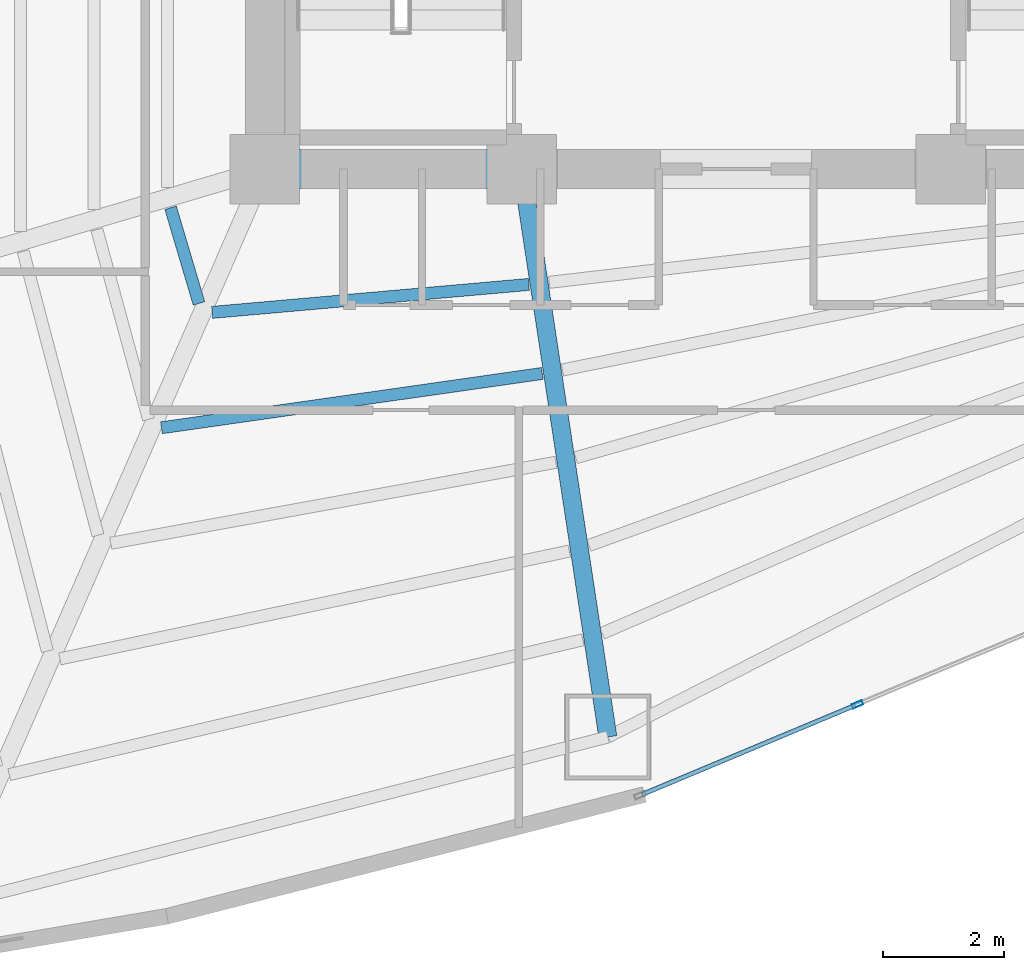
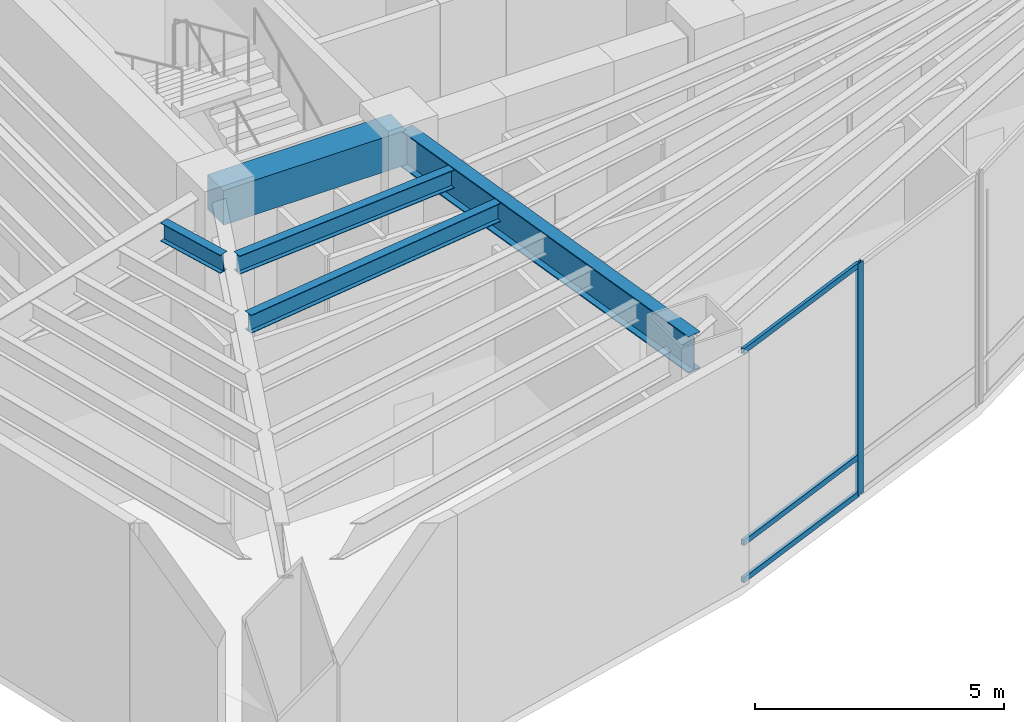
# One storey, part 4 of 19: 5 beams, 4 members, 1 element without a shape of its own.
"""IFC4 building model written with IfcOpenShell, lengths in metres."""

from ifc_helpers import new_model, si_unit, direction, frame, origin, origin_2d, place, context, subcontext, project, spatial, rectangle, hollow_rectangle, i_section, extrude, material, layer, layer_set, material_profile, profile_set, type_object, element, aggregate, save


model = new_model("IFC4")

# Units and contexts
model_context = context("Model", 3, precision=1e-05, world=origin(), true_north=direction((0.0, 1.0)))
body_context = subcontext(model_context, "Body", "Model", "MODEL_VIEW")
ifc_project = project(units=[si_unit("LENGTHUNIT", "METRE"), si_unit("AREAUNIT", "SQUARE_METRE"), si_unit("VOLUMEUNIT", "CUBIC_METRE"), si_unit("PLANEANGLEUNIT", "RADIAN"), si_unit("MASSUNIT", "GRAM", prefix="KILO")], contexts=[model_context])

# Site, building, storey
site_placement = place(None, origin())
site = spatial("IfcSite", under=ifc_project, at=site_placement, CompositionType="ELEMENT")
building_placement = place(site_placement, origin())
building = spatial("IfcBuilding", under=site, at=building_placement, Name="Menara Vayukalpa", CompositionType="ELEMENT")
storey_placement = place(building_placement, frame((0.0, 0.0, 12.0)))
storey = spatial("IfcBuildingStorey", under=building, at=storey_placement, Name="L02", CompositionType="ELEMENT", Elevation=12.0)

# Beams
ifc_material_1 = material(Name="Concrete C60/75", Category="concrete")
ifc_material_profile_1 = material_profile(ifc_material_1, rectangle(XDim=0.64990234375, YDim=0.85009765625, at=origin_2d()), Name="RC 650x850")
ifc_profile_set_1 = profile_set([ifc_material_profile_1], Name="Concrete C60/75")
beam_type_1 = type_object("IfcBeamType", Name="BM-CB1", PredefinedType="BEAM", material=ifc_profile_set_1)
beam_1_placement = place(storey_placement, frame((17.800048828125, 17.199951171875, 5.2548828125), z_axis=(1.0, 0.0, 0.0), x_axis=(0.0, 1.0, 0.0)))
element("IfcBeam", 1, at=beam_1_placement, inside=storey, type_object=beam_type_1, Name="L02 Core Tie Beam CBR1", PredefinedType="BEAM", context=body_context, shape_type="SweptSolid", body=[
    extrude(rectangle(XDim=0.64990234375, YDim=0.85009765625, at=origin_2d()), origin(), (0.0, 0.0, 1.0), 4.25),
])
ifc_material_2 = material(Name="Steel S355", Category="steel")
ifc_material_profile_2 = material_profile(ifc_material_2, i_section(OverallWidth=0.300048828125, OverallDepth=0.89990234375, WebThickness=0.01611328125, FlangeThickness=0.028076171875, at=origin_2d()), Name="WF 900x300x16x28")
ifc_profile_set_2 = profile_set([ifc_material_profile_2], Name="Steel S355")
beam_type_2 = type_object("IfcBeamType", Name="BM-PG1", PredefinedType="BEAM", material=ifc_profile_set_2)
beam_2_placement = place(storey_placement, frame((22.08740234375, 16.952880859375, 5.22998046875), z_axis=(0.149956157605, -0.988692647285, 0.0), x_axis=(0.988692647285, 0.149956157605, 0.0)))
element("IfcBeam", 2, at=beam_2_placement, inside=storey, type_object=beam_type_2, Name="L02 Primary Radial Girder RG08", PredefinedType="BEAM", context=body_context, shape_type="SweptSolid", body=[
    extrude(i_section(OverallWidth=0.300048828125, OverallDepth=0.89990234375, WebThickness=0.01611328125, FlangeThickness=0.028076171875, at=origin_2d()), origin(), (0.0, 0.0, 1.0), 9.25732421875),
])
ifc_material_3 = material(Name="Steel S355", Category="steel")
ifc_material_profile_3 = material_profile(ifc_material_3, i_section(OverallWidth=0.199951171875, OverallDepth=0.449951171875, WebThickness=0.009033203125, FlangeThickness=0.013916015625, at=origin_2d()), Name="WF 450x200x9x14")
ifc_profile_set_3 = profile_set([ifc_material_profile_3], Name="Steel S355")
beam_type_3 = type_object("IfcBeamType", Name="BM-SJ1", PredefinedType="JOIST", material=ifc_profile_set_3)
beam_3_placement = place(storey_placement, frame((16.239013671875, 16.5595703125, 5.455078125), z_axis=(0.284173863657, -0.958772765161, 0.0), x_axis=(0.958772765161, 0.284173863657, 0.0)))
element("IfcBeam", 3, at=beam_3_placement, inside=storey, type_object=beam_type_3, Name="L02 Secondary Floor Joist SJ06-1", PredefinedType="JOIST", context=body_context, shape_type="SweptSolid", body=[
    extrude(i_section(OverallWidth=0.199951171875, OverallDepth=0.449951171875, WebThickness=0.009033203125, FlangeThickness=0.013916015625, at=origin_2d()), origin(), (0.0, 0.0, 1.0), 1.652099609375),
])
beam_4_placement = place(storey_placement, frame((16.926025390625, 14.82763671875, 5.455078125), z_axis=(0.996127818773, 0.08791682812, 0.0), x_axis=(-0.08791682812, 0.996127818773, 0.0)))
element("IfcBeam", 4, at=beam_4_placement, inside=storey, type_object=beam_type_3, Name="L02 Secondary Floor Joist SJ07-1", PredefinedType="JOIST", context=body_context, shape_type="SweptSolid", body=[
    extrude(i_section(OverallWidth=0.199951171875, OverallDepth=0.449951171875, WebThickness=0.009033203125, FlangeThickness=0.013916015625, at=origin_2d()), origin(), (0.0, 0.0, 1.0), 5.26220703125),
])
beam_5_placement = place(storey_placement, frame((16.0869140625, 12.918212890625, 5.455078125), z_axis=(0.989991622628, 0.141126139063, 0.0), x_axis=(-0.141126139063, 0.989991622628, 0.0)))
element("IfcBeam", 5, at=beam_5_placement, inside=storey, type_object=beam_type_3, Name="L02 Secondary Floor Joist SJ07-2", PredefinedType="JOIST", context=body_context, shape_type="SweptSolid", body=[
    extrude(i_section(OverallWidth=0.199951171875, OverallDepth=0.449951171875, WebThickness=0.009033203125, FlangeThickness=0.013916015625, at=origin_2d()), origin(), (0.0, 0.0, 1.0), 6.367919921875),
])

# Curtain wall, members
ifc_material_4 = material(Name="Anodised Terracotta Aluminium Alloy 6063-T6", Category="masonry")
ifc_layer = layer(ifc_material_4, 0.179931640625)
ifc_layer_set = layer_set([ifc_layer], Name="Anodised Terracotta Aluminium Alloy 6063-T6")
curtain_wall_type = type_object("IfcCurtainWallType", Name="CW-CW1", PredefinedType="USERDEFINED", material=ifc_layer_set)
curtain_wall_placement = place(storey_placement, origin())
curtain_wall = element("IfcCurtainWall", 6, at=curtain_wall_placement, inside=storey, type_object=curtain_wall_type, Name="L02 Podium Unitised Ribbon Curtain Wall CW1 16", ObjectType="UNITISED", PredefinedType="USERDEFINED")
ifc_material_5 = material(Name="Anodised Terracotta Aluminium Alloy 6063-T6", Category="masonry")
ifc_material_profile_4 = material_profile(ifc_material_5, hollow_rectangle(XDim=0.074951171875, YDim=0.179931640625, WallThickness=0.00390625, at=origin_2d()), Name="ALU 75x180x4")
ifc_profile_set_4 = profile_set([ifc_material_profile_4], Name="Anodised Terracotta Aluminium Alloy 6063-T6")
member_type_1 = type_object("IfcMemberType", Name="CWM-CW1", PredefinedType="MULLION", material=ifc_profile_set_4)
member_1_placement = place(storey_placement, frame((27.608154296875, 8.33984375, 0.0), z_axis=(0.0, 0.0, 1.0), x_axis=(-0.385890613077, 0.922544543499, 0.0)))
member_1 = element("IfcMember", 7, at=member_1_placement, type_object=member_type_1, Name="CW1 mullion 2", PredefinedType="MULLION", context=body_context, shape_type="SweptSolid", body=[
    extrude(hollow_rectangle(XDim=0.074951171875, YDim=0.179931640625, WallThickness=0.00390625, at=origin_2d()), origin(), (0.0, 0.0, 1.0), 5.679931640625),
])
ifc_material_6 = material(Name="Anodised Terracotta Aluminium Alloy 6063-T6", Category="masonry")
ifc_material_profile_5 = material_profile(ifc_material_6, hollow_rectangle(XDim=0.074951171875, YDim=0.135009765625, WallThickness=0.00390625, at=origin_2d()), Name="ALU 75x135x4")
ifc_profile_set_5 = profile_set([ifc_material_profile_5], Name="Anodised Terracotta Aluminium Alloy 6063-T6")
member_type_2 = type_object("IfcMemberType", Name="CWT-CW1", PredefinedType="USERDEFINED", material=ifc_profile_set_5)
member_2_placement = place(storey_placement, frame((24.0439453125, 6.848876953125, 0.03759765625), z_axis=(0.922549314237, 0.385879207525, 0.0), x_axis=(-0.385879207525, 0.922549314237, 0.0)))
member_2 = element("IfcMember", 8, at=member_2_placement, type_object=member_type_2, Name="CW1 transom 1.1", ObjectType="TRANSOM", PredefinedType="USERDEFINED", context=body_context, shape_type="SweptSolid", body=[
    extrude(hollow_rectangle(XDim=0.074951171875, YDim=0.135009765625, WallThickness=0.00390625, at=origin_2d()), origin(), (0.0, 0.0, 1.0), 3.825927734375),
])
member_3_placement = place(storey_placement, frame((24.0439453125, 6.848876953125, 0.949951171875), z_axis=(0.922549314237, 0.385879207525, 0.0), x_axis=(-0.385879207525, 0.922549314237, 0.0)))
member_3 = element("IfcMember", 9, at=member_3_placement, type_object=member_type_2, Name="CW1 transom 1.2", ObjectType="TRANSOM", PredefinedType="USERDEFINED", context=body_context, shape_type="SweptSolid", body=[
    extrude(hollow_rectangle(XDim=0.074951171875, YDim=0.135009765625, WallThickness=0.00390625, at=origin_2d()), origin(), (0.0, 0.0, 1.0), 3.825927734375),
])
member_4_placement = place(storey_placement, frame((24.0439453125, 6.848876953125, 5.642578125), z_axis=(0.922549314237, 0.385879207525, 0.0), x_axis=(-0.385879207525, 0.922549314237, 0.0)))
member_4 = element("IfcMember", 10, at=member_4_placement, type_object=member_type_2, Name="CW1 transom 1.3", ObjectType="TRANSOM", PredefinedType="USERDEFINED", context=body_context, shape_type="SweptSolid", body=[
    extrude(hollow_rectangle(XDim=0.074951171875, YDim=0.135009765625, WallThickness=0.00390625, at=origin_2d()), origin(), (0.0, 0.0, 1.0), 3.825927734375),
])
aggregate(curtain_wall, [member_1, member_2, member_3, member_4])

save(model, "model.ifc")
